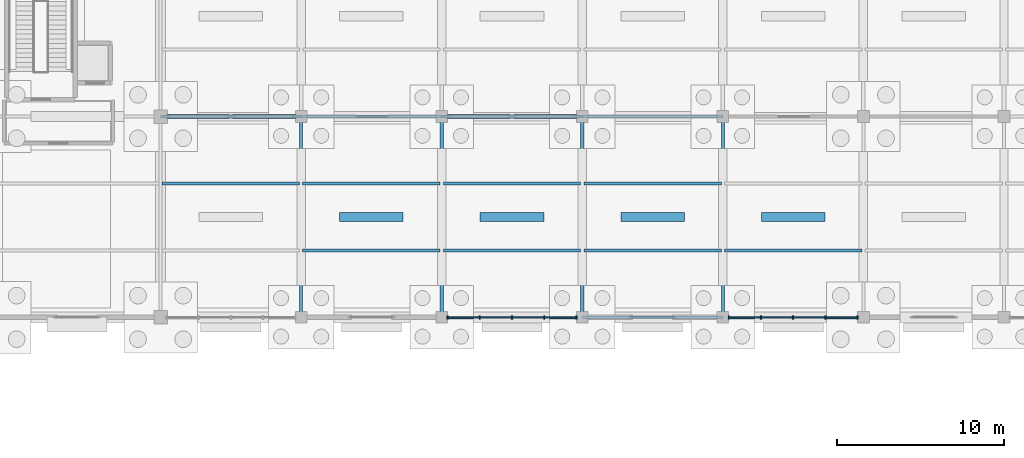
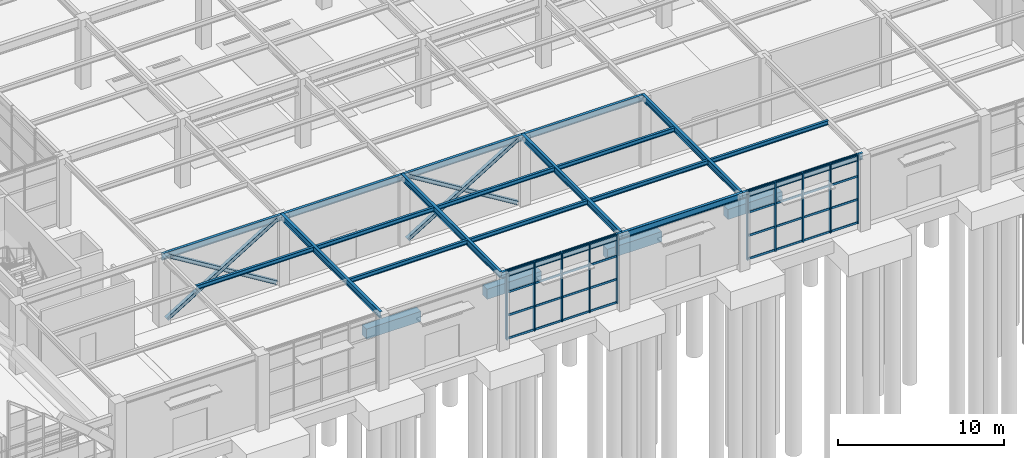
# One storey, part 47 of 129: 48 members, 23 beams, 2 elements without a shape of their own.
"""IFC4 building model written with IfcOpenShell, lengths in metres."""

from ifc_helpers import new_model, si_unit, direction, frame, origin, origin_2d, place, context, subcontext, project, spatial, rectangle, i_section, extrude, material, layer, layer_set, material_profile, profile_set, type_object, element, aggregate, save


model = new_model("IFC4")

# Units and contexts
model_context = context("Model", 3, precision=1e-05, world=origin(), true_north=direction((0.0, 1.0)))
body_context = subcontext(model_context, "Body", "Model", "MODEL_VIEW")
ifc_project = project(units=[si_unit("LENGTHUNIT", "METRE"), si_unit("AREAUNIT", "SQUARE_METRE"), si_unit("VOLUMEUNIT", "CUBIC_METRE"), si_unit("PLANEANGLEUNIT", "RADIAN"), si_unit("MASSUNIT", "GRAM", prefix="KILO")], contexts=[model_context])

# Site, building, storey
site_placement = place(None, origin())
site = spatial("IfcSite", under=ifc_project, at=site_placement, CompositionType="ELEMENT")
building_placement = place(site_placement, origin())
building = spatial("IfcBuilding", under=site, at=building_placement, Name="Sitalva Quay Ferry Terminal", CompositionType="ELEMENT")
storey_placement = place(building_placement, origin())
storey = spatial("IfcBuildingStorey", under=building, at=storey_placement, Name="L01", CompositionType="ELEMENT", Elevation=0.0)

# Beams
ifc_material_1 = material(Name="Structural Steel S355JR", Category="steel")
ifc_material_profile_1 = material_profile(ifc_material_1, i_section(OverallWidth=0.19091796875, OverallDepth=0.4599609375, WebThickness=0.010009765625, FlangeThickness=0.01611328125, FilletRadius=0.013916015625, at=origin_2d()), Name="W460x82")
ifc_profile_set_1 = profile_set([ifc_material_profile_1], Name="Structural Steel S355JR")
beam_type_1 = type_object("IfcBeamType", Name="Beam_W460x82", PredefinedType="BEAM", material=ifc_profile_set_1)
beam_1_placement = place(storey_placement, frame((100.800048828125, 6.0, 4.889892578125), z_axis=(1.0, 0.0, 0.0), x_axis=(0.0, 1.0, 0.0)))
element("IfcBeam", 1, at=beam_1_placement, inside=storey, type_object=beam_type_1, Name="L01 Primary X girder 0189", PredefinedType="BEAM", context=body_context, shape_type="SweptSolid", body=[
    extrude(i_section(OverallWidth=0.19091796875, OverallDepth=0.4599609375, WebThickness=0.010009765625, FlangeThickness=0.01611328125, FilletRadius=0.013916015625, at=origin_2d()), origin(), (0.0, 0.0, 1.0), 8.39990234375),
])
beam_2_placement = place(storey_placement, frame((109.199951171875, 6.0, 4.889892578125), z_axis=(1.0, 0.0, 0.0), x_axis=(0.0, 1.0, 0.0)))
element("IfcBeam", 2, at=beam_2_placement, inside=storey, type_object=beam_type_1, Name="L01 Primary X girder 0190", PredefinedType="BEAM", context=body_context, shape_type="SweptSolid", body=[
    extrude(i_section(OverallWidth=0.19091796875, OverallDepth=0.4599609375, WebThickness=0.010009765625, FlangeThickness=0.01611328125, FilletRadius=0.013916015625, at=origin_2d()), origin(), (0.0, 0.0, 1.0), 8.400146484375),
])
for number, where, z_axis, x_axis, name in (
    (3, (117.60009765625, 6.0, 4.889892578125), (1.0, 0.0, 0.0), (0.0, 1.0, 0.0), "L01 Primary X girder 0191"),
    (4, (84.0, 18.0, 4.85009765625), (1.0, 0.0, 0.0), (0.0, 1.0, 0.0), "L01 Primary X girder 0197"),
):
    element("IfcBeam", number, at=place(storey_placement, frame(where, z_axis=z_axis, x_axis=x_axis)), inside=storey, type_object=beam_type_1, Name=name, PredefinedType="BEAM", context=body_context, shape_type="SweptSolid", body=[
        extrude(i_section(OverallWidth=0.19091796875, OverallDepth=0.4599609375, WebThickness=0.010009765625, FlangeThickness=0.01611328125, FilletRadius=0.013916015625, at=origin_2d()), origin(), (0.0, 0.0, 1.0), 8.39990234375),
    ])
beam_3_placement = place(storey_placement, frame((92.39990234375, 18.0, 4.85009765625), z_axis=(1.0, 0.0, 0.0), x_axis=(0.0, 1.0, 0.0)))
element("IfcBeam", 5, at=beam_3_placement, inside=storey, type_object=beam_type_1, Name="L01 Primary X girder 0198", PredefinedType="BEAM", context=body_context, shape_type="SweptSolid", body=[
    extrude(i_section(OverallWidth=0.19091796875, OverallDepth=0.4599609375, WebThickness=0.010009765625, FlangeThickness=0.01611328125, FilletRadius=0.013916015625, at=origin_2d()), origin(), (0.0, 0.0, 1.0), 8.400146484375),
])
beam_4_placement = place(storey_placement, frame((100.800048828125, 18.0, 4.85009765625), z_axis=(1.0, 0.0, 0.0), x_axis=(0.0, 1.0, 0.0)))
element("IfcBeam", 6, at=beam_4_placement, inside=storey, type_object=beam_type_1, Name="L01 Primary X girder 0199", PredefinedType="BEAM", context=body_context, shape_type="SweptSolid", body=[
    extrude(i_section(OverallWidth=0.19091796875, OverallDepth=0.4599609375, WebThickness=0.010009765625, FlangeThickness=0.01611328125, FilletRadius=0.013916015625, at=origin_2d()), origin(), (0.0, 0.0, 1.0), 8.39990234375),
])
beam_5_placement = place(storey_placement, frame((109.199951171875, 18.0, 4.85009765625), z_axis=(1.0, 0.0, 0.0), x_axis=(0.0, 1.0, 0.0)))
element("IfcBeam", 7, at=beam_5_placement, inside=storey, type_object=beam_type_1, Name="L01 Primary X girder 0200", PredefinedType="BEAM", context=body_context, shape_type="SweptSolid", body=[
    extrude(i_section(OverallWidth=0.19091796875, OverallDepth=0.4599609375, WebThickness=0.010009765625, FlangeThickness=0.01611328125, FilletRadius=0.013916015625, at=origin_2d()), origin(), (0.0, 0.0, 1.0), 8.400146484375),
])
for number, where, z_axis, x_axis, name in (
    (8, (92.39990234375, 6.0, 4.889892578125), (0.0, 1.0, 0.0), (-1.0, 0.0, 0.0), "L01 Primary Y girder 0207"),
    (9, (100.800048828125, 6.0, 4.889892578125), (0.0, 1.0, 0.0), (-1.0, 0.0, 0.0), "L01 Primary Y girder 0208"),
    (10, (109.199951171875, 6.0, 4.889892578125), (0.0, 1.0, 0.0), (-1.0, 0.0, 0.0), "L01 Primary Y girder 0209"),
    (11, (117.60009765625, 6.0, 4.889892578125), (0.0, 1.0, 0.0), (-1.0, 0.0, 0.0), "L01 Primary Y girder 0210"),
):
    element("IfcBeam", number, at=place(storey_placement, frame(where, z_axis=z_axis, x_axis=x_axis)), inside=storey, type_object=beam_type_1, Name=name, PredefinedType="BEAM", context=body_context, shape_type="SweptSolid", body=[
        extrude(i_section(OverallWidth=0.19091796875, OverallDepth=0.4599609375, WebThickness=0.010009765625, FlangeThickness=0.01611328125, FilletRadius=0.013916015625, at=origin_2d()), origin(), (0.0, 0.0, 1.0), 12.0),
    ])

# Members
ifc_material_2 = material(Name="Structural Steel S355JR", Category="steel")
ifc_material_profile_2 = material_profile(ifc_material_2, i_section(OverallWidth=0.25390625, OverallDepth=0.2529296875, WebThickness=0.008544921875, FlangeThickness=0.01416015625, FilletRadius=0.011962890625, at=origin_2d()), Name="W250x73")
ifc_profile_set_2 = profile_set([ifc_material_profile_2], Name="Structural Steel S355JR")
member_type_1 = type_object("IfcMemberType", Name="Brace_W250x73", PredefinedType="BRACE", material=ifc_profile_set_2)
member_1_placement = place(storey_placement, frame((84.35009765625, 18.0, 0.14990234375), z_axis=(0.853051086663, 0.0, 0.521827407812), x_axis=(0.0, 1.0, 0.0)))
element("IfcMember", 12, at=member_1_placement, inside=storey, type_object=member_type_1, Name="Braced frame BF7 L01 continuous X-brace A", PredefinedType="BRACE", context=body_context, shape_type="SweptSolid", body=[
    extrude(i_section(OverallWidth=0.25390625, OverallDepth=0.2529296875, WebThickness=0.008544921875, FlangeThickness=0.01416015625, FilletRadius=0.011962890625, at=origin_2d()), origin(), (0.0, 0.0, 1.0), 9.0263671875),
])
member_2_placement = place(storey_placement, frame((84.35009765625, 18.0, 4.860107421875), z_axis=(0.853041075068, 0.0, -0.521843773793), x_axis=(0.0, 1.0, 0.0)))
element("IfcMember", 13, at=member_2_placement, inside=storey, type_object=member_type_1, Name="Braced frame BF7 L01 split X-brace upper B1", PredefinedType="BRACE", context=body_context, shape_type="SweptSolid", body=[
    extrude(i_section(OverallWidth=0.25390625, OverallDepth=0.2529296875, WebThickness=0.008544921875, FlangeThickness=0.01416015625, FilletRadius=0.011962890625, at=origin_2d()), origin(), (0.0, 0.0, 1.0), 4.31298828125),
])
member_3_placement = place(storey_placement, frame((88.37060546875, 18.0, 2.400634765625), z_axis=(0.853056488745, 0.0, -0.52181857672), x_axis=(0.0, 1.0, 0.0)))
element("IfcMember", 14, at=member_3_placement, inside=storey, type_object=member_type_1, Name="Braced frame BF7 L01 split X-brace lower B2", PredefinedType="BRACE", context=body_context, shape_type="SweptSolid", body=[
    extrude(i_section(OverallWidth=0.25390625, OverallDepth=0.2529296875, WebThickness=0.008544921875, FlangeThickness=0.01416015625, FilletRadius=0.011962890625, at=origin_2d()), origin(), (0.0, 0.0, 1.0), 4.313232421875),
])
member_4_placement = place(storey_placement, frame((101.14990234375, 18.0, 0.14990234375), z_axis=(0.853058451546, 0.0, 0.521815367967), x_axis=(0.0, 1.0, 0.0)))
element("IfcMember", 15, at=member_4_placement, inside=storey, type_object=member_type_1, Name="Braced frame BF8 L01 continuous X-brace A", PredefinedType="BRACE", context=body_context, shape_type="SweptSolid", body=[
    extrude(i_section(OverallWidth=0.25390625, OverallDepth=0.2529296875, WebThickness=0.008544921875, FlangeThickness=0.01416015625, FilletRadius=0.011962890625, at=origin_2d()), origin(), (0.0, 0.0, 1.0), 9.026611328125),
])
for number, where, z_axis, x_axis, name in (
    (16, (101.14990234375, 18.0, 4.860107421875), (0.853056488745, 0.0, -0.52181857672), (0.0, 1.0, 0.0), "Braced frame BF8 L01 split X-brace upper B1"),
    (17, (105.170654296875, 18.0, 2.400634765625), (0.853056488745, 0.0, -0.52181857672), (0.0, 1.0, 0.0), "Braced frame BF8 L01 split X-brace lower B2"),
):
    element("IfcMember", number, at=place(storey_placement, frame(where, z_axis=z_axis, x_axis=x_axis)), inside=storey, type_object=member_type_1, Name=name, PredefinedType="BRACE", context=body_context, shape_type="SweptSolid", body=[
        extrude(i_section(OverallWidth=0.25390625, OverallDepth=0.2529296875, WebThickness=0.008544921875, FlangeThickness=0.01416015625, FilletRadius=0.011962890625, at=origin_2d()), origin(), (0.0, 0.0, 1.0), 4.313232421875),
    ])

# Beams
ifc_material_3 = material(Name="Structural Steel S355JR", Category="steel")
ifc_material_profile_3 = material_profile(ifc_material_3, i_section(OverallWidth=0.166015625, OverallDepth=0.31298828125, WebThickness=0.006591796875, FlangeThickness=0.01123046875, FilletRadius=0.010986328125, at=origin_2d()), Name="W310x45")
ifc_profile_set_3 = profile_set([ifc_material_profile_3], Name="Structural Steel S355JR")
beam_type_2 = type_object("IfcBeamType", Name="Joist_W310x45", PredefinedType="JOIST", material=ifc_profile_set_3)
for number, where, z_axis, x_axis, name in (
    (18, (92.49560546875, 10.0, 4.96337890625), (1.0, 0.0, 0.0), (0.0, 1.0, 0.0), "L01 Secondary joist 0218"),
    (19, (100.8955078125, 10.0, 4.96337890625), (1.0, 0.0, 0.0), (0.0, 1.0, 0.0), "L01 Secondary joist 0219"),
    (20, (109.29541015625, 10.0, 4.96337890625), (1.0, 0.0, 0.0), (0.0, 1.0, 0.0), "L01 Secondary joist 0220"),
    (21, (117.695556640625, 10.0, 4.96337890625), (1.0, 0.0, 0.0), (0.0, 1.0, 0.0), "L01 Secondary joist 0221"),
    (22, (84.095458984375, 14.0, 4.96337890625), (1.0, 0.0, 0.0), (0.0, 1.0, 0.0), "L01 Secondary joist 0227"),
    (23, (92.49560546875, 14.0, 4.96337890625), (1.0, 0.0, 0.0), (0.0, 1.0, 0.0), "L01 Secondary joist 0228"),
    (24, (100.8955078125, 14.0, 4.96337890625), (1.0, 0.0, 0.0), (0.0, 1.0, 0.0), "L01 Secondary joist 0229"),
    (25, (109.29541015625, 14.0, 4.96337890625), (1.0, 0.0, 0.0), (0.0, 1.0, 0.0), "L01 Secondary joist 0230"),
):
    element("IfcBeam", number, at=place(storey_placement, frame(where, z_axis=z_axis, x_axis=x_axis)), inside=storey, type_object=beam_type_2, Name=name, PredefinedType="JOIST", context=body_context, shape_type="SweptSolid", body=[
        extrude(i_section(OverallWidth=0.166015625, OverallDepth=0.31298828125, WebThickness=0.006591796875, FlangeThickness=0.01123046875, FilletRadius=0.010986328125, at=origin_2d()), origin(), (0.0, 0.0, 1.0), 8.208984375),
    ])

# Curtain wall, members
ifc_material_4 = material(Name="Anodised Aluminium & Low-E Glazing", Category="aluminium")
ifc_layer = layer(ifc_material_4, 0.159912109375)
ifc_layer_set = layer_set([ifc_layer], Name="Anodised Aluminium & Low-E Glazing")
curtain_wall_type = type_object("IfcCurtainWallType", Name="CW_Concourse_Unitised", PredefinedType="USERDEFINED", material=ifc_layer_set)
curtain_wall_1_placement = place(storey_placement, origin())
curtain_wall_1 = element("IfcCurtainWall", 26, at=curtain_wall_1_placement, inside=storey, type_object=curtain_wall_type, Name="South-east quay concourse curtain wall (CW-L01-061)", ObjectType="CURTAIN_WALL", PredefinedType="USERDEFINED")
ifc_material_5 = material(Name="Anodised Aluminium 6063-T6", Category="aluminium")
ifc_material_profile_4 = material_profile(ifc_material_5, rectangle(XDim=0.0849609375, YDim=0.2099609375, at=origin_2d()), Name="ALU85x210")
ifc_profile_set_4 = profile_set([ifc_material_profile_4], Name="Anodised Aluminium 6063-T6")
member_type_2 = type_object("IfcMemberType", Name="Mullion_Alu_85x210", PredefinedType="MULLION", material=ifc_profile_set_4)
member_5_placement = place(storey_placement, frame((101.14990234375, 6.0, 0.0), z_axis=(0.0, 0.0, 1.0), x_axis=(1.0, 0.0, 0.0)))
member_5 = element("IfcMember", 27, at=member_5_placement, type_object=member_type_2, Name="CW-L01-061-M0", PredefinedType="MULLION", context=body_context, shape_type="SweptSolid", body=[
    extrude(rectangle(XDim=0.0849609375, YDim=0.2099609375, at=origin_2d()), origin(), (0.0, 0.0, 1.0), 5.1201171875),
])
member_6_placement = place(storey_placement, frame((103.074951171875, 6.0, 0.0), z_axis=(0.0, 0.0, 1.0), x_axis=(1.0, 0.0, 0.0)))
member_6 = element("IfcMember", 28, at=member_6_placement, type_object=member_type_2, Name="CW-L01-061-M1", PredefinedType="MULLION", context=body_context, shape_type="SweptSolid", body=[
    extrude(rectangle(XDim=0.0849609375, YDim=0.2099609375, at=origin_2d()), origin(), (0.0, 0.0, 1.0), 5.1201171875),
])
member_7_placement = place(storey_placement, frame((105.0, 6.0, 0.0), z_axis=(0.0, 0.0, 1.0), x_axis=(1.0, 0.0, 0.0)))
member_7 = element("IfcMember", 29, at=member_7_placement, type_object=member_type_2, Name="CW-L01-061-M2", PredefinedType="MULLION", context=body_context, shape_type="SweptSolid", body=[
    extrude(rectangle(XDim=0.0849609375, YDim=0.2099609375, at=origin_2d()), origin(), (0.0, 0.0, 1.0), 5.1201171875),
])
member_8_placement = place(storey_placement, frame((106.925048828125, 6.0, 0.0), z_axis=(0.0, 0.0, 1.0), x_axis=(1.0, 0.0, 0.0)))
member_8 = element("IfcMember", 30, at=member_8_placement, type_object=member_type_2, Name="CW-L01-061-M3", PredefinedType="MULLION", context=body_context, shape_type="SweptSolid", body=[
    extrude(rectangle(XDim=0.0849609375, YDim=0.2099609375, at=origin_2d()), origin(), (0.0, 0.0, 1.0), 5.1201171875),
])
member_9_placement = place(storey_placement, frame((108.85009765625, 6.0, 0.0), z_axis=(0.0, 0.0, 1.0), x_axis=(1.0, 0.0, 0.0)))
member_9 = element("IfcMember", 31, at=member_9_placement, type_object=member_type_2, Name="CW-L01-061-M4", PredefinedType="MULLION", context=body_context, shape_type="SweptSolid", body=[
    extrude(rectangle(XDim=0.0849609375, YDim=0.2099609375, at=origin_2d()), origin(), (0.0, 0.0, 1.0), 5.1201171875),
])

curtain_wall_2_placement = place(storey_placement, origin())
curtain_wall_2 = element("IfcCurtainWall", 32, at=curtain_wall_2_placement, inside=storey, type_object=curtain_wall_type, Name="South-east quay concourse curtain wall (CW-L01-064)", ObjectType="CURTAIN_WALL", PredefinedType="USERDEFINED")
member_10_placement = place(storey_placement, frame((117.949951171875, 6.0, 0.0), z_axis=(0.0, 0.0, 1.0), x_axis=(1.0, 0.0, 0.0)))
member_10 = element("IfcMember", 33, at=member_10_placement, type_object=member_type_2, Name="CW-L01-064-M0", PredefinedType="MULLION", context=body_context, shape_type="SweptSolid", body=[
    extrude(rectangle(XDim=0.0849609375, YDim=0.2099609375, at=origin_2d()), origin(), (0.0, 0.0, 1.0), 5.1201171875),
])
member_11_placement = place(storey_placement, frame((119.875, 6.0, 0.0), z_axis=(0.0, 0.0, 1.0), x_axis=(1.0, 0.0, 0.0)))
member_11 = element("IfcMember", 34, at=member_11_placement, type_object=member_type_2, Name="CW-L01-064-M1", PredefinedType="MULLION", context=body_context, shape_type="SweptSolid", body=[
    extrude(rectangle(XDim=0.0849609375, YDim=0.2099609375, at=origin_2d()), origin(), (0.0, 0.0, 1.0), 5.1201171875),
])
member_12_placement = place(storey_placement, frame((121.800048828125, 6.0, 0.0), z_axis=(0.0, 0.0, 1.0), x_axis=(1.0, 0.0, 0.0)))
member_12 = element("IfcMember", 35, at=member_12_placement, type_object=member_type_2, Name="CW-L01-064-M2", PredefinedType="MULLION", context=body_context, shape_type="SweptSolid", body=[
    extrude(rectangle(XDim=0.0849609375, YDim=0.2099609375, at=origin_2d()), origin(), (0.0, 0.0, 1.0), 5.1201171875),
])
member_13_placement = place(storey_placement, frame((123.72509765625, 6.0, 0.0), z_axis=(0.0, 0.0, 1.0), x_axis=(1.0, 0.0, 0.0)))
member_13 = element("IfcMember", 36, at=member_13_placement, type_object=member_type_2, Name="CW-L01-064-M3", PredefinedType="MULLION", context=body_context, shape_type="SweptSolid", body=[
    extrude(rectangle(XDim=0.0849609375, YDim=0.2099609375, at=origin_2d()), origin(), (0.0, 0.0, 1.0), 5.1201171875),
])
member_14_placement = place(storey_placement, frame((125.64990234375, 6.0, 0.0), z_axis=(0.0, 0.0, 1.0), x_axis=(1.0, 0.0, 0.0)))
member_14 = element("IfcMember", 37, at=member_14_placement, type_object=member_type_2, Name="CW-L01-064-M4", PredefinedType="MULLION", context=body_context, shape_type="SweptSolid", body=[
    extrude(rectangle(XDim=0.0849609375, YDim=0.2099609375, at=origin_2d()), origin(), (0.0, 0.0, 1.0), 5.1201171875),
])

# Beams
ifc_material_6 = material(Name="Concrete C35/45", Category="concrete")
ifc_material_profile_5 = material_profile(ifc_material_6, rectangle(XDim=0.550048828125, YDim=0.75, at=origin_2d()), Name="RC550x750")
ifc_profile_set_5 = profile_set([ifc_material_profile_5], Name="Concrete C35/45")
beam_type_3 = type_object("IfcBeamType", Name="TBeam_Quay_RC550x750", PredefinedType="T_BEAM", material=ifc_profile_set_5)
beam_6_placement = place(storey_placement, frame((94.699951171875, 12.0, -0.824951171875), z_axis=(1.0, 0.0, 0.0), x_axis=(0.0, 1.0, 0.0)))
element("IfcBeam", 38, at=beam_6_placement, inside=storey, type_object=beam_type_3, Name="L01 Ro-Ro quay deck T-beam 0039", PredefinedType="T_BEAM", context=body_context, shape_type="SweptSolid", body=[
    extrude(rectangle(XDim=0.550048828125, YDim=0.75, at=origin_2d()), origin(), (0.0, 0.0, 1.0), 3.800048828125),
])
beam_7_placement = place(storey_placement, frame((103.10009765625, 12.0, -0.824951171875), z_axis=(1.0, 0.0, 0.0), x_axis=(0.0, 1.0, 0.0)))
element("IfcBeam", 39, at=beam_7_placement, inside=storey, type_object=beam_type_3, Name="L01 Ro-Ro quay deck T-beam 0040", PredefinedType="T_BEAM", context=body_context, shape_type="SweptSolid", body=[
    extrude(rectangle(XDim=0.550048828125, YDim=0.75, at=origin_2d()), origin(), (0.0, 0.0, 1.0), 3.7998046875),
])
for number, where, z_axis, x_axis, name in (
    (40, (111.5, 12.0, -0.824951171875), (1.0, 0.0, 0.0), (0.0, 1.0, 0.0), "L01 Ro-Ro quay deck T-beam 0041"),
    (41, (119.89990234375, 12.0, -0.824951171875), (1.0, 0.0, 0.0), (0.0, 1.0, 0.0), "L01 Ro-Ro quay deck T-beam 0042"),
):
    element("IfcBeam", number, at=place(storey_placement, frame(where, z_axis=z_axis, x_axis=x_axis)), inside=storey, type_object=beam_type_3, Name=name, PredefinedType="T_BEAM", context=body_context, shape_type="SweptSolid", body=[
        extrude(rectangle(XDim=0.550048828125, YDim=0.75, at=origin_2d()), origin(), (0.0, 0.0, 1.0), 3.800048828125),
    ])

# Member
ifc_material_7 = material(Name="Anodised Aluminium 6063-T6", Category="aluminium")
ifc_material_profile_6 = material_profile(ifc_material_7, rectangle(XDim=0.074951171875, YDim=0.14990234375, at=origin_2d()), Name="ALU75x150")
ifc_profile_set_6 = profile_set([ifc_material_profile_6], Name="Anodised Aluminium 6063-T6")
member_type_3 = type_object("IfcMemberType", Name="Transom_Alu_75x140", PredefinedType="MULLION", material=ifc_profile_set_6)
member_15_placement = place(storey_placement, frame((101.1923828125, 6.0, 0.074951171875), z_axis=(1.0, 0.0, 0.0), x_axis=(0.0, 1.0, 0.0)))
member_15 = element("IfcMember", 42, at=member_15_placement, type_object=member_type_3, Name="CW-L01-061-T0-0", ObjectType="TRANSOM", PredefinedType="USERDEFINED", context=body_context, shape_type="SweptSolid", body=[
    extrude(rectangle(XDim=0.074951171875, YDim=0.14990234375, at=origin_2d()), origin(), (0.0, 0.0, 1.0), 1.840087890625),
])

member_16_placement = place(storey_placement, frame((101.1923828125, 6.0, 1.78173828125), z_axis=(1.0, 0.0, 0.0), x_axis=(0.0, 1.0, 0.0)))
member_16 = element("IfcMember", 43, at=member_16_placement, type_object=member_type_3, Name="CW-L01-061-T0-1", ObjectType="TRANSOM", PredefinedType="USERDEFINED", context=body_context, shape_type="SweptSolid", body=[
    extrude(rectangle(XDim=0.074951171875, YDim=0.14990234375, at=origin_2d()), origin(), (0.0, 0.0, 1.0), 1.840087890625),
])

member_17_placement = place(storey_placement, frame((101.1923828125, 6.0, 3.48828125), z_axis=(1.0, 0.0, 0.0), x_axis=(0.0, 1.0, 0.0)))
member_17 = element("IfcMember", 44, at=member_17_placement, type_object=member_type_3, Name="CW-L01-061-T0-2", ObjectType="TRANSOM", PredefinedType="USERDEFINED", context=body_context, shape_type="SweptSolid", body=[
    extrude(rectangle(XDim=0.074951171875, YDim=0.14990234375, at=origin_2d()), origin(), (0.0, 0.0, 1.0), 1.840087890625),
])

member_18_placement = place(storey_placement, frame((101.1923828125, 6.0, 5.044921875), z_axis=(1.0, 0.0, 0.0), x_axis=(0.0, 1.0, 0.0)))
member_18 = element("IfcMember", 45, at=member_18_placement, type_object=member_type_3, Name="CW-L01-061-T0-3", ObjectType="TRANSOM", PredefinedType="USERDEFINED", context=body_context, shape_type="SweptSolid", body=[
    extrude(rectangle(XDim=0.074951171875, YDim=0.14990234375, at=origin_2d()), origin(), (0.0, 0.0, 1.0), 1.840087890625),
])

member_19_placement = place(storey_placement, frame((103.117431640625, 6.0, 0.074951171875), z_axis=(1.0, 0.0, 0.0), x_axis=(0.0, 1.0, 0.0)))
member_19 = element("IfcMember", 46, at=member_19_placement, type_object=member_type_3, Name="CW-L01-061-T1-0", ObjectType="TRANSOM", PredefinedType="USERDEFINED", context=body_context, shape_type="SweptSolid", body=[
    extrude(rectangle(XDim=0.074951171875, YDim=0.14990234375, at=origin_2d()), origin(), (0.0, 0.0, 1.0), 1.840087890625),
])

member_20_placement = place(storey_placement, frame((103.117431640625, 6.0, 1.78173828125), z_axis=(1.0, 0.0, 0.0), x_axis=(0.0, 1.0, 0.0)))
member_20 = element("IfcMember", 47, at=member_20_placement, type_object=member_type_3, Name="CW-L01-061-T1-1", ObjectType="TRANSOM", PredefinedType="USERDEFINED", context=body_context, shape_type="SweptSolid", body=[
    extrude(rectangle(XDim=0.074951171875, YDim=0.14990234375, at=origin_2d()), origin(), (0.0, 0.0, 1.0), 1.840087890625),
])

member_21_placement = place(storey_placement, frame((103.117431640625, 6.0, 3.48828125), z_axis=(1.0, 0.0, 0.0), x_axis=(0.0, 1.0, 0.0)))
member_21 = element("IfcMember", 48, at=member_21_placement, type_object=member_type_3, Name="CW-L01-061-T1-2", ObjectType="TRANSOM", PredefinedType="USERDEFINED", context=body_context, shape_type="SweptSolid", body=[
    extrude(rectangle(XDim=0.074951171875, YDim=0.14990234375, at=origin_2d()), origin(), (0.0, 0.0, 1.0), 1.840087890625),
])

member_22_placement = place(storey_placement, frame((103.117431640625, 6.0, 5.044921875), z_axis=(1.0, 0.0, 0.0), x_axis=(0.0, 1.0, 0.0)))
member_22 = element("IfcMember", 49, at=member_22_placement, type_object=member_type_3, Name="CW-L01-061-T1-3", ObjectType="TRANSOM", PredefinedType="USERDEFINED", context=body_context, shape_type="SweptSolid", body=[
    extrude(rectangle(XDim=0.074951171875, YDim=0.14990234375, at=origin_2d()), origin(), (0.0, 0.0, 1.0), 1.840087890625),
])

member_23_placement = place(storey_placement, frame((105.04248046875, 6.0, 0.074951171875), z_axis=(1.0, 0.0, 0.0), x_axis=(0.0, 1.0, 0.0)))
member_23 = element("IfcMember", 50, at=member_23_placement, type_object=member_type_3, Name="CW-L01-061-T2-0", ObjectType="TRANSOM", PredefinedType="USERDEFINED", context=body_context, shape_type="SweptSolid", body=[
    extrude(rectangle(XDim=0.074951171875, YDim=0.14990234375, at=origin_2d()), origin(), (0.0, 0.0, 1.0), 1.840087890625),
])

member_24_placement = place(storey_placement, frame((105.04248046875, 6.0, 1.78173828125), z_axis=(1.0, 0.0, 0.0), x_axis=(0.0, 1.0, 0.0)))
member_24 = element("IfcMember", 51, at=member_24_placement, type_object=member_type_3, Name="CW-L01-061-T2-1", ObjectType="TRANSOM", PredefinedType="USERDEFINED", context=body_context, shape_type="SweptSolid", body=[
    extrude(rectangle(XDim=0.074951171875, YDim=0.14990234375, at=origin_2d()), origin(), (0.0, 0.0, 1.0), 1.840087890625),
])

member_25_placement = place(storey_placement, frame((105.04248046875, 6.0, 3.48828125), z_axis=(1.0, 0.0, 0.0), x_axis=(0.0, 1.0, 0.0)))
member_25 = element("IfcMember", 52, at=member_25_placement, type_object=member_type_3, Name="CW-L01-061-T2-2", ObjectType="TRANSOM", PredefinedType="USERDEFINED", context=body_context, shape_type="SweptSolid", body=[
    extrude(rectangle(XDim=0.074951171875, YDim=0.14990234375, at=origin_2d()), origin(), (0.0, 0.0, 1.0), 1.840087890625),
])

member_26_placement = place(storey_placement, frame((105.04248046875, 6.0, 5.044921875), z_axis=(1.0, 0.0, 0.0), x_axis=(0.0, 1.0, 0.0)))
member_26 = element("IfcMember", 53, at=member_26_placement, type_object=member_type_3, Name="CW-L01-061-T2-3", ObjectType="TRANSOM", PredefinedType="USERDEFINED", context=body_context, shape_type="SweptSolid", body=[
    extrude(rectangle(XDim=0.074951171875, YDim=0.14990234375, at=origin_2d()), origin(), (0.0, 0.0, 1.0), 1.840087890625),
])

member_27_placement = place(storey_placement, frame((106.967529296875, 6.0, 0.074951171875), z_axis=(1.0, 0.0, 0.0), x_axis=(0.0, 1.0, 0.0)))
member_27 = element("IfcMember", 54, at=member_27_placement, type_object=member_type_3, Name="CW-L01-061-T3-0", ObjectType="TRANSOM", PredefinedType="USERDEFINED", context=body_context, shape_type="SweptSolid", body=[
    extrude(rectangle(XDim=0.074951171875, YDim=0.14990234375, at=origin_2d()), origin(), (0.0, 0.0, 1.0), 1.840087890625),
])

member_28_placement = place(storey_placement, frame((106.967529296875, 6.0, 1.78173828125), z_axis=(1.0, 0.0, 0.0), x_axis=(0.0, 1.0, 0.0)))
member_28 = element("IfcMember", 55, at=member_28_placement, type_object=member_type_3, Name="CW-L01-061-T3-1", ObjectType="TRANSOM", PredefinedType="USERDEFINED", context=body_context, shape_type="SweptSolid", body=[
    extrude(rectangle(XDim=0.074951171875, YDim=0.14990234375, at=origin_2d()), origin(), (0.0, 0.0, 1.0), 1.840087890625),
])

member_29_placement = place(storey_placement, frame((106.967529296875, 6.0, 3.48828125), z_axis=(1.0, 0.0, 0.0), x_axis=(0.0, 1.0, 0.0)))
member_29 = element("IfcMember", 56, at=member_29_placement, type_object=member_type_3, Name="CW-L01-061-T3-2", ObjectType="TRANSOM", PredefinedType="USERDEFINED", context=body_context, shape_type="SweptSolid", body=[
    extrude(rectangle(XDim=0.074951171875, YDim=0.14990234375, at=origin_2d()), origin(), (0.0, 0.0, 1.0), 1.840087890625),
])

member_30_placement = place(storey_placement, frame((106.967529296875, 6.0, 5.044921875), z_axis=(1.0, 0.0, 0.0), x_axis=(0.0, 1.0, 0.0)))
member_30 = element("IfcMember", 57, at=member_30_placement, type_object=member_type_3, Name="CW-L01-061-T3-3", ObjectType="TRANSOM", PredefinedType="USERDEFINED", context=body_context, shape_type="SweptSolid", body=[
    extrude(rectangle(XDim=0.074951171875, YDim=0.14990234375, at=origin_2d()), origin(), (0.0, 0.0, 1.0), 1.840087890625),
])

aggregate(curtain_wall_1, [member_5, member_6, member_7, member_8, member_9, member_15, member_16, member_17, member_18, member_19, member_20, member_21, member_22, member_23, member_24, member_25, member_26, member_27, member_28, member_29, member_30])

member_31_placement = place(storey_placement, frame((117.992431640625, 6.0, 0.074951171875), z_axis=(1.0, 0.0, 0.0), x_axis=(0.0, 1.0, 0.0)))
member_31 = element("IfcMember", 58, at=member_31_placement, type_object=member_type_3, Name="CW-L01-064-T0-0", ObjectType="TRANSOM", PredefinedType="USERDEFINED", context=body_context, shape_type="SweptSolid", body=[
    extrude(rectangle(XDim=0.074951171875, YDim=0.14990234375, at=origin_2d()), origin(), (0.0, 0.0, 1.0), 1.840087890625),
])

member_32_placement = place(storey_placement, frame((117.992431640625, 6.0, 1.78173828125), z_axis=(1.0, 0.0, 0.0), x_axis=(0.0, 1.0, 0.0)))
member_32 = element("IfcMember", 59, at=member_32_placement, type_object=member_type_3, Name="CW-L01-064-T0-1", ObjectType="TRANSOM", PredefinedType="USERDEFINED", context=body_context, shape_type="SweptSolid", body=[
    extrude(rectangle(XDim=0.074951171875, YDim=0.14990234375, at=origin_2d()), origin(), (0.0, 0.0, 1.0), 1.840087890625),
])

member_33_placement = place(storey_placement, frame((117.992431640625, 6.0, 3.48828125), z_axis=(1.0, 0.0, 0.0), x_axis=(0.0, 1.0, 0.0)))
member_33 = element("IfcMember", 60, at=member_33_placement, type_object=member_type_3, Name="CW-L01-064-T0-2", ObjectType="TRANSOM", PredefinedType="USERDEFINED", context=body_context, shape_type="SweptSolid", body=[
    extrude(rectangle(XDim=0.074951171875, YDim=0.14990234375, at=origin_2d()), origin(), (0.0, 0.0, 1.0), 1.840087890625),
])

member_34_placement = place(storey_placement, frame((117.992431640625, 6.0, 5.044921875), z_axis=(1.0, 0.0, 0.0), x_axis=(0.0, 1.0, 0.0)))
member_34 = element("IfcMember", 61, at=member_34_placement, type_object=member_type_3, Name="CW-L01-064-T0-3", ObjectType="TRANSOM", PredefinedType="USERDEFINED", context=body_context, shape_type="SweptSolid", body=[
    extrude(rectangle(XDim=0.074951171875, YDim=0.14990234375, at=origin_2d()), origin(), (0.0, 0.0, 1.0), 1.840087890625),
])

member_35_placement = place(storey_placement, frame((119.91748046875, 6.0, 0.074951171875), z_axis=(1.0, 0.0, 0.0), x_axis=(0.0, 1.0, 0.0)))
member_35 = element("IfcMember", 62, at=member_35_placement, type_object=member_type_3, Name="CW-L01-064-T1-0", ObjectType="TRANSOM", PredefinedType="USERDEFINED", context=body_context, shape_type="SweptSolid", body=[
    extrude(rectangle(XDim=0.074951171875, YDim=0.14990234375, at=origin_2d()), origin(), (0.0, 0.0, 1.0), 1.840087890625),
])

member_36_placement = place(storey_placement, frame((119.91748046875, 6.0, 1.78173828125), z_axis=(1.0, 0.0, 0.0), x_axis=(0.0, 1.0, 0.0)))
member_36 = element("IfcMember", 63, at=member_36_placement, type_object=member_type_3, Name="CW-L01-064-T1-1", ObjectType="TRANSOM", PredefinedType="USERDEFINED", context=body_context, shape_type="SweptSolid", body=[
    extrude(rectangle(XDim=0.074951171875, YDim=0.14990234375, at=origin_2d()), origin(), (0.0, 0.0, 1.0), 1.840087890625),
])

member_37_placement = place(storey_placement, frame((119.91748046875, 6.0, 3.48828125), z_axis=(1.0, 0.0, 0.0), x_axis=(0.0, 1.0, 0.0)))
member_37 = element("IfcMember", 64, at=member_37_placement, type_object=member_type_3, Name="CW-L01-064-T1-2", ObjectType="TRANSOM", PredefinedType="USERDEFINED", context=body_context, shape_type="SweptSolid", body=[
    extrude(rectangle(XDim=0.074951171875, YDim=0.14990234375, at=origin_2d()), origin(), (0.0, 0.0, 1.0), 1.840087890625),
])

member_38_placement = place(storey_placement, frame((119.91748046875, 6.0, 5.044921875), z_axis=(1.0, 0.0, 0.0), x_axis=(0.0, 1.0, 0.0)))
member_38 = element("IfcMember", 65, at=member_38_placement, type_object=member_type_3, Name="CW-L01-064-T1-3", ObjectType="TRANSOM", PredefinedType="USERDEFINED", context=body_context, shape_type="SweptSolid", body=[
    extrude(rectangle(XDim=0.074951171875, YDim=0.14990234375, at=origin_2d()), origin(), (0.0, 0.0, 1.0), 1.840087890625),
])

member_39_placement = place(storey_placement, frame((121.842529296875, 6.0, 0.074951171875), z_axis=(1.0, 0.0, 0.0), x_axis=(0.0, 1.0, 0.0)))
member_39 = element("IfcMember", 66, at=member_39_placement, type_object=member_type_3, Name="CW-L01-064-T2-0", ObjectType="TRANSOM", PredefinedType="USERDEFINED", context=body_context, shape_type="SweptSolid", body=[
    extrude(rectangle(XDim=0.074951171875, YDim=0.14990234375, at=origin_2d()), origin(), (0.0, 0.0, 1.0), 1.840087890625),
])

member_40_placement = place(storey_placement, frame((121.842529296875, 6.0, 1.78173828125), z_axis=(1.0, 0.0, 0.0), x_axis=(0.0, 1.0, 0.0)))
member_40 = element("IfcMember", 67, at=member_40_placement, type_object=member_type_3, Name="CW-L01-064-T2-1", ObjectType="TRANSOM", PredefinedType="USERDEFINED", context=body_context, shape_type="SweptSolid", body=[
    extrude(rectangle(XDim=0.074951171875, YDim=0.14990234375, at=origin_2d()), origin(), (0.0, 0.0, 1.0), 1.840087890625),
])

member_41_placement = place(storey_placement, frame((121.842529296875, 6.0, 3.48828125), z_axis=(1.0, 0.0, 0.0), x_axis=(0.0, 1.0, 0.0)))
member_41 = element("IfcMember", 68, at=member_41_placement, type_object=member_type_3, Name="CW-L01-064-T2-2", ObjectType="TRANSOM", PredefinedType="USERDEFINED", context=body_context, shape_type="SweptSolid", body=[
    extrude(rectangle(XDim=0.074951171875, YDim=0.14990234375, at=origin_2d()), origin(), (0.0, 0.0, 1.0), 1.840087890625),
])

member_42_placement = place(storey_placement, frame((121.842529296875, 6.0, 5.044921875), z_axis=(1.0, 0.0, 0.0), x_axis=(0.0, 1.0, 0.0)))
member_42 = element("IfcMember", 69, at=member_42_placement, type_object=member_type_3, Name="CW-L01-064-T2-3", ObjectType="TRANSOM", PredefinedType="USERDEFINED", context=body_context, shape_type="SweptSolid", body=[
    extrude(rectangle(XDim=0.074951171875, YDim=0.14990234375, at=origin_2d()), origin(), (0.0, 0.0, 1.0), 1.840087890625),
])

member_43_placement = place(storey_placement, frame((123.767578125, 6.0, 0.074951171875), z_axis=(1.0, 0.0, 0.0), x_axis=(0.0, 1.0, 0.0)))
member_43 = element("IfcMember", 70, at=member_43_placement, type_object=member_type_3, Name="CW-L01-064-T3-0", ObjectType="TRANSOM", PredefinedType="USERDEFINED", context=body_context, shape_type="SweptSolid", body=[
    extrude(rectangle(XDim=0.074951171875, YDim=0.14990234375, at=origin_2d()), origin(), (0.0, 0.0, 1.0), 1.83984375),
])

member_44_placement = place(storey_placement, frame((123.767578125, 6.0, 1.78173828125), z_axis=(1.0, 0.0, 0.0), x_axis=(0.0, 1.0, 0.0)))
member_44 = element("IfcMember", 71, at=member_44_placement, type_object=member_type_3, Name="CW-L01-064-T3-1", ObjectType="TRANSOM", PredefinedType="USERDEFINED", context=body_context, shape_type="SweptSolid", body=[
    extrude(rectangle(XDim=0.074951171875, YDim=0.14990234375, at=origin_2d()), origin(), (0.0, 0.0, 1.0), 1.83984375),
])

member_45_placement = place(storey_placement, frame((123.767578125, 6.0, 3.48828125), z_axis=(1.0, 0.0, 0.0), x_axis=(0.0, 1.0, 0.0)))
member_45 = element("IfcMember", 72, at=member_45_placement, type_object=member_type_3, Name="CW-L01-064-T3-2", ObjectType="TRANSOM", PredefinedType="USERDEFINED", context=body_context, shape_type="SweptSolid", body=[
    extrude(rectangle(XDim=0.074951171875, YDim=0.14990234375, at=origin_2d()), origin(), (0.0, 0.0, 1.0), 1.83984375),
])

member_46_placement = place(storey_placement, frame((123.767578125, 6.0, 5.044921875), z_axis=(1.0, 0.0, 0.0), x_axis=(0.0, 1.0, 0.0)))
member_46 = element("IfcMember", 73, at=member_46_placement, type_object=member_type_3, Name="CW-L01-064-T3-3", ObjectType="TRANSOM", PredefinedType="USERDEFINED", context=body_context, shape_type="SweptSolid", body=[
    extrude(rectangle(XDim=0.074951171875, YDim=0.14990234375, at=origin_2d()), origin(), (0.0, 0.0, 1.0), 1.83984375),
])

aggregate(curtain_wall_2, [member_10, member_11, member_12, member_13, member_14, member_31, member_32, member_33, member_34, member_35, member_36, member_37, member_38, member_39, member_40, member_41, member_42, member_43, member_44, member_45, member_46])

save(model, "model.ifc")
